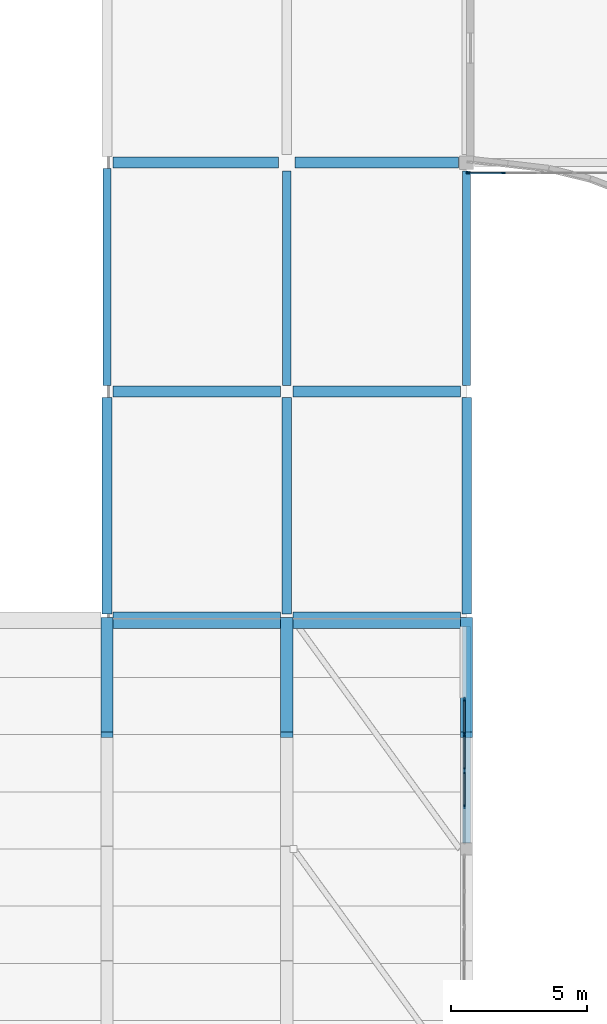
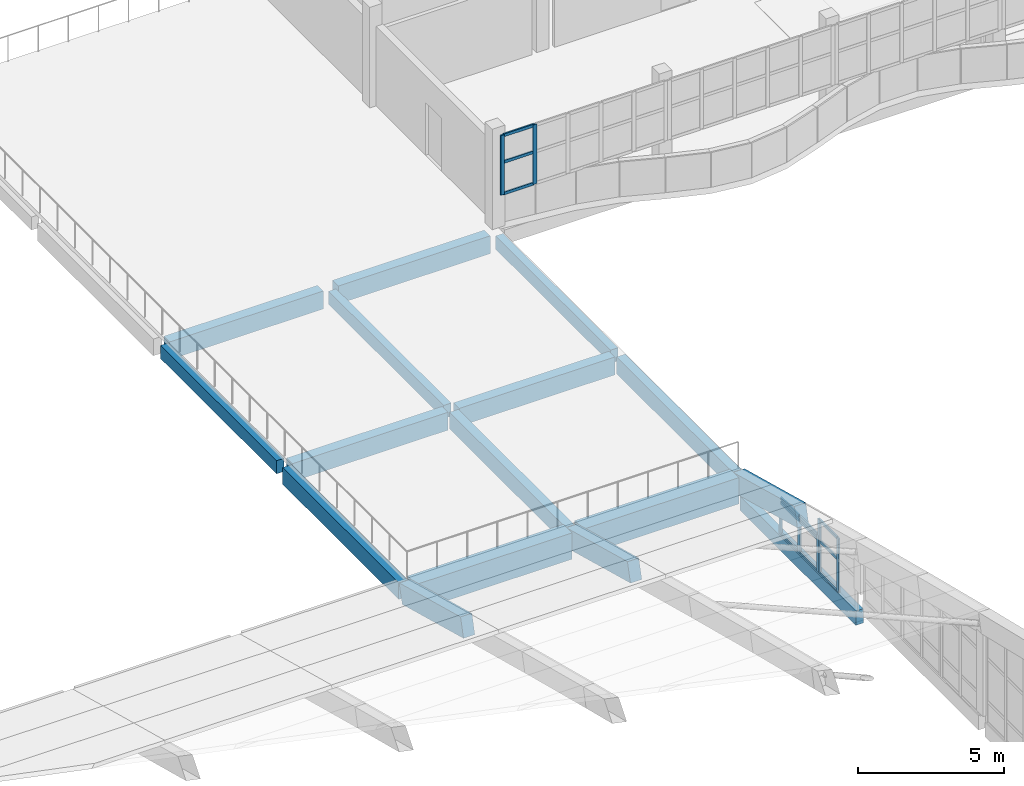
# One storey, part 17 of 78: 19 members, 16 beams, 3 elements without a shape of their own.
"""IFC4 building model written with IfcOpenShell, lengths in metres."""

from ifc_helpers import new_model, si_unit, direction, frame, origin, origin_2d, place, context, subcontext, project, spatial, rectangle, extrude, material, material_profile, profile_set, type_object, element, aggregate, save


model = new_model("IFC4")

# Units and contexts
model_context = context("Model", 3, precision=1e-05, world=origin(), true_north=direction((0.0, 1.0)))
body_context = subcontext(model_context, "Body", "Model", "MODEL_VIEW")
ifc_project = project(units=[si_unit("LENGTHUNIT", "METRE"), si_unit("AREAUNIT", "SQUARE_METRE"), si_unit("VOLUMEUNIT", "CUBIC_METRE"), si_unit("PLANEANGLEUNIT", "RADIAN"), si_unit("MASSUNIT", "GRAM", prefix="KILO")], contexts=[model_context])

# Site, building, storey
site_placement = place(None, origin())
site = spatial("IfcSite", under=ifc_project, at=site_placement, CompositionType="ELEMENT")
building_placement = place(site_placement, origin())
building = spatial("IfcBuilding", under=site, at=building_placement, Name="Qaldarim Faculty of Natural and Applied Sciences", CompositionType="ELEMENT")
storey_placement = place(building_placement, frame((0.0, 0.0, 18.60009765625)))
storey = spatial("IfcBuildingStorey", under=building, at=storey_placement, Name="L04", CompositionType="ELEMENT", Elevation=18.60009765625)

# Beams
ifc_material_1 = material(Name="Concrete C40/50", Category="concrete")
ifc_material_profile_1 = material_profile(ifc_material_1, rectangle(XDim=0.300048828125, YDim=0.550048828125, at=origin_2d()), Name="RC-B300x550")
ifc_profile_set_1 = profile_set([ifc_material_profile_1], Name="Concrete C40/50")
beam_type_1 = type_object("IfcBeamType", Name="FloorBeam-RC300x550", PredefinedType="BEAM", material=ifc_profile_set_1)
beam_1_placement = place(storey_placement, frame((33.0, 92.625, -0.53515625), z_axis=(0.0, 1.0, 0.0), x_axis=(-1.0, 0.0, 0.0)))
element("IfcBeam", 1, at=beam_1_placement, inside=storey, type_object=beam_type_1, Name="Beam RC-B300x550 L03 X06/Y12-Y13", PredefinedType="BEAM", context=body_context, shape_type="SweptSolid", body=[
    extrude(rectangle(XDim=0.300048828125, YDim=0.550048828125, at=origin_2d()), origin(), (0.0, 0.0, 1.0), 7.949951171875),
])
for number, where, z_axis, x_axis, name in (
    (2, (39.60009765625, 92.625, -0.53515625), (0.0, 1.0, 0.0), (-1.0, 0.0, 0.0), "Beam RC-B300x550 L03 X07/Y12-Y13"),
    (3, (46.199951171875, 92.625, -0.53515625), (0.0, 1.0, 0.0), (-1.0, 0.0, 0.0), "Beam RC-B300x550 L03 X08/Y12-Y13"),
):
    element("IfcBeam", number, at=place(storey_placement, frame(where, z_axis=z_axis, x_axis=x_axis)), inside=storey, type_object=beam_type_1, Name=name, PredefinedType="BEAM", context=body_context, shape_type="SweptSolid", body=[
        extrude(rectangle(XDim=0.300048828125, YDim=0.550048828125, at=origin_2d()), origin(), (0.0, 0.0, 1.0), 7.875),
    ])
ifc_material_2 = material(Name="Concrete C50/60", Category="concrete")
ifc_material_profile_2 = material_profile(ifc_material_2, rectangle(XDim=0.39990234375, YDim=0.75, at=origin_2d()), Name="RC-B400x750")
ifc_profile_set_2 = profile_set([ifc_material_profile_2], Name="Concrete C50/60")
beam_type_2 = type_object("IfcBeamType", Name="LabGirder-RC400x750", PredefinedType="BEAM", material=ifc_profile_set_2)
beam_2_placement = place(storey_placement, frame((33.22509765625, 92.39990234375, -0.635009765625), z_axis=(1.0, 0.0, 0.0), x_axis=(0.0, 1.0, 0.0)))
element("IfcBeam", 4, at=beam_2_placement, inside=storey, type_object=beam_type_2, Name="Beam RC-B400x750 L03 X06-X07/Y12", PredefinedType="BEAM", context=body_context, shape_type="SweptSolid", body=[
    extrude(rectangle(XDim=0.39990234375, YDim=0.75, at=origin_2d()), origin(), (0.0, 0.0, 1.0), 6.14990234375),
])
beam_3_placement = place(storey_placement, frame((39.824951171875, 92.39990234375, -0.635009765625), z_axis=(1.0, 0.0, 0.0), x_axis=(0.0, 1.0, 0.0)))
element("IfcBeam", 5, at=beam_3_placement, inside=storey, type_object=beam_type_2, Name="Beam RC-B400x750 L03 X07-X08/Y12", PredefinedType="BEAM", context=body_context, shape_type="SweptSolid", body=[
    extrude(rectangle(XDim=0.39990234375, YDim=0.75, at=origin_2d()), origin(), (0.0, 0.0, 1.0), 6.150146484375),
])
beam_4_placement = place(storey_placement, frame((33.22509765625, 100.800048828125, -0.635009765625), z_axis=(1.0, 0.0, 0.0), x_axis=(0.0, 1.0, 0.0)))
element("IfcBeam", 6, at=beam_4_placement, inside=storey, type_object=beam_type_2, Name="Beam RC-B400x750 L03 X06-X07/Y13", PredefinedType="BEAM", context=body_context, shape_type="SweptSolid", body=[
    extrude(rectangle(XDim=0.39990234375, YDim=0.75, at=origin_2d()), origin(), (0.0, 0.0, 1.0), 6.074951171875),
])
beam_5_placement = place(storey_placement, frame((39.89990234375, 100.800048828125, -0.635009765625), z_axis=(1.0, 0.0, 0.0), x_axis=(0.0, 1.0, 0.0)))
element("IfcBeam", 7, at=beam_5_placement, inside=storey, type_object=beam_type_2, Name="Beam RC-B400x750 L03 X07-X08/Y13", PredefinedType="BEAM", context=body_context, shape_type="SweptSolid", body=[
    extrude(rectangle(XDim=0.39990234375, YDim=0.75, at=origin_2d()), origin(), (0.0, 0.0, 1.0), 6.0),
])

# Curtain wall, members
ifc_material_3 = material(Name="Anodised aluminium AW-6063", Category="aluminium")
curtain_wall_type_1 = type_object("IfcCurtainWallType", Name="CurtainWallSystem-M1400", PredefinedType="USERDEFINED", material=ifc_material_3)
curtain_wall_1_placement = place(storey_placement, origin())
curtain_wall_1 = element("IfcCurtainWall", 8, at=curtain_wall_1_placement, inside=storey, type_object=curtain_wall_type_1, Name="Curtain wall CW-V4RIB-L04-X08", ObjectType="STICK CURTAIN WALL", PredefinedType="USERDEFINED")
ifc_material_profile_3 = material_profile(ifc_material_3, rectangle(XDim=0.06005859375, YDim=0.14990234375, at=origin_2d()), Name="ALU-M60x150")
ifc_profile_set_3 = profile_set([ifc_material_profile_3], Name="Anodised aluminium AW-6063")
member_type_1 = type_object("IfcMemberType", Name="Mullion-ALU60x150", PredefinedType="MULLION", material=ifc_profile_set_3)
member_1_placement = place(storey_placement, frame((46.27001953125, 100.419921875, 1.449951171875), z_axis=(0.0, 0.0, 1.0), x_axis=(0.0, 1.0, 0.0)))
member_1 = element("IfcMember", 9, at=member_1_placement, type_object=member_type_1, Name="Mullion 1 of CW-V4RIB-L04-X08", PredefinedType="MULLION", context=body_context, shape_type="SweptSolid", body=[
    extrude(rectangle(XDim=0.06005859375, YDim=0.14990234375, at=origin_2d()), origin(), (0.0, 0.0, 1.0), 2.489990234375),
])
member_2_placement = place(storey_placement, frame((47.5439453125, 100.419921875, 1.449951171875), z_axis=(0.0, 0.0, 1.0), x_axis=(0.0, 1.0, 0.0)))
member_2 = element("IfcMember", 10, at=member_2_placement, type_object=member_type_1, Name="Mullion 2 of CW-V4RIB-L04-X08", PredefinedType="MULLION", context=body_context, shape_type="SweptSolid", body=[
    extrude(rectangle(XDim=0.06005859375, YDim=0.14990234375, at=origin_2d()), origin(), (0.0, 0.0, 1.0), 2.489990234375),
])

curtain_wall_type_2 = type_object("IfcCurtainWallType", Name="CurtainWallSystem-M1500", PredefinedType="USERDEFINED", material=ifc_material_3)
curtain_wall_2_placement = place(storey_placement, origin())
curtain_wall_2 = element("IfcCurtainWall", 11, at=curtain_wall_2_placement, inside=storey, type_object=curtain_wall_type_2, Name="Curtain wall CW-GABLE-L04-E-Y10-1", ObjectType="STICK CURTAIN WALL", PredefinedType="USERDEFINED")
member_3_placement = place(storey_placement, frame((46.1201171875, 77.1474609375, -0.97998046875), z_axis=(0.0, 0.0, 1.0), x_axis=(-1.0, 0.0, 0.0)))
member_3 = element("IfcMember", 12, at=member_3_placement, type_object=member_type_1, Name="Mullion 2 of CW-GABLE-L04-E-Y10-1", PredefinedType="MULLION", context=body_context, shape_type="SweptSolid", body=[
    extrude(rectangle(XDim=0.06005859375, YDim=0.14990234375, at=origin_2d()), origin(), (0.0, 0.0, 1.0), 2.244873046875),
])
member_4_placement = place(storey_placement, frame((46.1201171875, 78.43505859375, -0.97998046875), z_axis=(0.0, 0.0, 1.0), x_axis=(-1.0, 0.0, 0.0)))
member_4 = element("IfcMember", 13, at=member_4_placement, type_object=member_type_1, Name="Mullion 3 of CW-GABLE-L04-E-Y10-1", PredefinedType="MULLION", context=body_context, shape_type="SweptSolid", body=[
    extrude(rectangle(XDim=0.06005859375, YDim=0.14990234375, at=origin_2d()), origin(), (0.0, 0.0, 1.0), 2.244873046875),
])

curtain_wall_3_placement = place(storey_placement, origin())
curtain_wall_3 = element("IfcCurtainWall", 14, at=curtain_wall_3_placement, inside=storey, type_object=curtain_wall_type_2, Name="Curtain wall CW-GABLE-L04-E-Y10-2", ObjectType="STICK CURTAIN WALL", PredefinedType="USERDEFINED")
member_5_placement = place(storey_placement, frame((46.1201171875, 78.514892578125, -0.97998046875), z_axis=(0.0, 0.0, 1.0), x_axis=(-1.0, 0.0, 0.0)))
member_5 = element("IfcMember", 15, at=member_5_placement, type_object=member_type_1, Name="Mullion 1 of CW-GABLE-L04-E-Y10-2", PredefinedType="MULLION", context=body_context, shape_type="SweptSolid", body=[
    extrude(rectangle(XDim=0.06005859375, YDim=0.14990234375, at=origin_2d()), origin(), (0.0, 0.0, 1.0), 1.554931640625),
])
member_6_placement = place(storey_placement, frame((46.1201171875, 79.802490234375, -0.97998046875), z_axis=(0.0, 0.0, 1.0), x_axis=(-1.0, 0.0, 0.0)))
member_6 = element("IfcMember", 16, at=member_6_placement, type_object=member_type_1, Name="Mullion 2 of CW-GABLE-L04-E-Y10-2", PredefinedType="MULLION", context=body_context, shape_type="SweptSolid", body=[
    extrude(rectangle(XDim=0.06005859375, YDim=0.14990234375, at=origin_2d()), origin(), (0.0, 0.0, 1.0), 1.554931640625),
])
member_7_placement = place(storey_placement, frame((46.1201171875, 81.090087890625, -0.97998046875), z_axis=(0.0, 0.0, 1.0), x_axis=(-1.0, 0.0, 0.0)))
member_7 = element("IfcMember", 17, at=member_7_placement, type_object=member_type_1, Name="Mullion 3 of CW-GABLE-L04-E-Y10-2", PredefinedType="MULLION", context=body_context, shape_type="SweptSolid", body=[
    extrude(rectangle(XDim=0.06005859375, YDim=0.14990234375, at=origin_2d()), origin(), (0.0, 0.0, 1.0), 1.554931640625),
])

# Beams
ifc_material_profile_4 = material_profile(ifc_material_1, rectangle(XDim=0.35009765625, YDim=0.699951171875, at=origin_2d()), Name="RC-B350x700")
ifc_profile_set_4 = profile_set([ifc_material_profile_4], Name="Concrete C40/50")
beam_type_3 = type_object("IfcBeamType", Name="PrimaryGirder-RC350x700", PredefinedType="BEAM", material=ifc_profile_set_4)
for number, where, z_axis, x_axis, name in (
    (18, (33.0, 84.22509765625, -0.610107421875), (0.0, 1.0, 0.0), (-1.0, 0.0, 0.0), "Beam RC-B350x700 L03 X06/Y11-Y12"),
    (19, (39.60009765625, 84.22509765625, -0.610107421875), (0.0, 1.0, 0.0), (-1.0, 0.0, 0.0), "Beam RC-B350x700 L03 X07/Y11-Y12"),
    (20, (46.199951171875, 84.22509765625, -0.610107421875), (0.0, 1.0, 0.0), (-1.0, 0.0, 0.0), "Beam RC-B350x700 L03 X08/Y11-Y12"),
):
    element("IfcBeam", number, at=place(storey_placement, frame(where, z_axis=z_axis, x_axis=x_axis)), inside=storey, type_object=beam_type_3, Name=name, PredefinedType="BEAM", context=body_context, shape_type="SweptSolid", body=[
        extrude(rectangle(XDim=0.35009765625, YDim=0.699951171875, at=origin_2d()), origin(), (0.0, 0.0, 1.0), 7.949951171875),
    ])
ifc_material_profile_5 = material_profile(ifc_material_2, rectangle(XDim=0.449951171875, YDim=0.800048828125, at=origin_2d()), Name="RC-RIB450x800")
ifc_profile_set_5 = profile_set([ifc_material_profile_5], Name="Concrete C50/60")
beam_type_4 = type_object("IfcBeamType", Name="ShellArchRib-RC450x800", PredefinedType="BEAM", material=ifc_profile_set_5)
for number, where, z_axis, x_axis, name in (
    (21, (33.0, 84.0, -0.56005859375), (0.0, -0.965947299715, 0.258738891884), (1.0, 0.0, 0.0), "Shell arch rib 6 N segment 1"),
    (22, (39.60009765625, 84.0, -0.56005859375), (0.0, -0.965947299715, 0.258738891884), (1.0, 0.0, 0.0), "Shell arch rib 7 N segment 1"),
    (23, (46.199951171875, 84.0, -0.56005859375), (0.0, -0.965947299715, 0.258738891884), (1.0, 0.0, 0.0), "Shell arch rib 8 N segment 1"),
):
    element("IfcBeam", number, at=place(storey_placement, frame(where, z_axis=z_axis, x_axis=x_axis)), inside=storey, type_object=beam_type_4, Name=name, PredefinedType="BEAM", context=body_context, shape_type="SweptSolid", body=[
        extrude(rectangle(XDim=0.449951171875, YDim=0.800048828125, at=origin_2d()), origin(), (0.0, 0.0, 1.0), 4.347900390625),
    ])
ifc_material_profile_6 = material_profile(ifc_material_2, rectangle(XDim=0.60009765625, YDim=1.10009765625, at=origin_2d()), Name="RC-EB600x1100")
ifc_profile_set_6 = profile_set([ifc_material_profile_6], Name="Concrete C50/60")
beam_type_5 = type_object("IfcBeamType", Name="ShellEdgeBeam-RC600x1100", PredefinedType="SPANDREL", material=ifc_profile_set_6)
beam_6_placement = place(storey_placement, frame((33.22509765625, 84.0, -0.7001953125), z_axis=(1.0, 0.0, 0.0), x_axis=(0.0, 1.0, 0.0)))
element("IfcBeam", 24, at=beam_6_placement, inside=storey, type_object=beam_type_5, Name="Shell springing edge beam N bay 6", PredefinedType="SPANDREL", context=body_context, shape_type="SweptSolid", body=[
    extrude(rectangle(XDim=0.60009765625, YDim=1.10009765625, at=origin_2d()), origin(), (0.0, 0.0, 1.0), 6.14990234375),
])
beam_7_placement = place(storey_placement, frame((39.824951171875, 84.0, -0.7001953125), z_axis=(1.0, 0.0, 0.0), x_axis=(0.0, 1.0, 0.0)))
element("IfcBeam", 25, at=beam_7_placement, inside=storey, type_object=beam_type_5, Name="Shell springing edge beam N bay 7", PredefinedType="SPANDREL", context=body_context, shape_type="SweptSolid", body=[
    extrude(rectangle(XDim=0.60009765625, YDim=1.10009765625, at=origin_2d()), origin(), (0.0, 0.0, 1.0), 6.150146484375),
])
ifc_material_4 = material(Name="Precast concrete C40/50", Category="concrete")
ifc_material_profile_7 = material_profile(ifc_material_4, rectangle(XDim=0.300048828125, YDim=0.60009765625, at=origin_2d()), Name="RC-SP300x600")
ifc_profile_set_7 = profile_set([ifc_material_profile_7], Name="Precast concrete C40/50")
beam_type_6 = type_object("IfcBeamType", Name="SpandrelBeam-RC300x600", PredefinedType="SPANDREL", material=ifc_profile_set_7)
beam_8_placement = place(storey_placement, frame((46.199951171875, 75.824951171875, -1.280029296875), z_axis=(0.0, 1.0, 0.0), x_axis=(-1.0, 0.0, 0.0)))
element("IfcBeam", 26, at=beam_8_placement, inside=storey, type_object=beam_type_6, Name="Shell gable tie beam L03 X08/Y10-Y11", PredefinedType="SPANDREL", context=body_context, shape_type="SweptSolid", body=[
    extrude(rectangle(XDim=0.300048828125, YDim=0.60009765625, at=origin_2d()), origin(), (0.0, 0.0, 1.0), 7.949951171875),
])

# Member
ifc_material_profile_8 = material_profile(ifc_material_3, rectangle(XDim=0.06005859375, YDim=0.1201171875, at=origin_2d()), Name="ALU-T60x120")
ifc_profile_set_8 = profile_set([ifc_material_profile_8], Name="Anodised aluminium AW-6063")
member_type_2 = type_object("IfcMemberType", Name="Transom-ALU60x120", PredefinedType="USERDEFINED", material=ifc_profile_set_8)
member_8_placement = place(storey_placement, frame((46.300048828125, 100.419921875, 1.47998046875), z_axis=(1.0, 0.0, 0.0), x_axis=(0.0, 1.0, 0.0)))
member_8 = element("IfcMember", 27, at=member_8_placement, type_object=member_type_2, Name="Transom 1-1 of CW-V4RIB-L04-X08", ObjectType="TRANSOM", PredefinedType="USERDEFINED", context=body_context, shape_type="SweptSolid", body=[
    extrude(rectangle(XDim=0.06005859375, YDim=0.1201171875, at=origin_2d()), origin(), (0.0, 0.0, 1.0), 1.2138671875),
])

member_9_placement = place(storey_placement, frame((46.300048828125, 100.419921875, 2.7998046875), z_axis=(1.0, 0.0, 0.0), x_axis=(0.0, 1.0, 0.0)))
member_9 = element("IfcMember", 28, at=member_9_placement, type_object=member_type_2, Name="Transom 1-2 of CW-V4RIB-L04-X08", ObjectType="TRANSOM", PredefinedType="USERDEFINED", context=body_context, shape_type="SweptSolid", body=[
    extrude(rectangle(XDim=0.06005859375, YDim=0.1201171875, at=origin_2d()), origin(), (0.0, 0.0, 1.0), 1.2138671875),
])

member_10_placement = place(storey_placement, frame((46.300048828125, 100.419921875, 3.909912109375), z_axis=(1.0, 0.0, 0.0), x_axis=(0.0, 1.0, 0.0)))
member_10 = element("IfcMember", 29, at=member_10_placement, type_object=member_type_2, Name="Transom 1-3 of CW-V4RIB-L04-X08", ObjectType="TRANSOM", PredefinedType="USERDEFINED", context=body_context, shape_type="SweptSolid", body=[
    extrude(rectangle(XDim=0.06005859375, YDim=0.1201171875, at=origin_2d()), origin(), (0.0, 0.0, 1.0), 1.2138671875),
])

aggregate(curtain_wall_1, [member_1, member_2, member_8, member_9, member_10])

member_11_placement = place(storey_placement, frame((46.1201171875, 77.177490234375, -0.9501953125), z_axis=(0.0, 1.0, 0.0), x_axis=(-1.0, 0.0, 0.0)))
member_11 = element("IfcMember", 30, at=member_11_placement, type_object=member_type_2, Name="Transom 2-1 of CW-GABLE-L04-E-Y10-1", ObjectType="TRANSOM", PredefinedType="USERDEFINED", context=body_context, shape_type="SweptSolid", body=[
    extrude(rectangle(XDim=0.06005859375, YDim=0.1201171875, at=origin_2d()), origin(), (0.0, 0.0, 1.0), 1.2275390625),
])

member_12_placement = place(storey_placement, frame((46.1201171875, 77.177490234375, 0.369873046875), z_axis=(0.0, 1.0, 0.0), x_axis=(-1.0, 0.0, 0.0)))
member_12 = element("IfcMember", 31, at=member_12_placement, type_object=member_type_2, Name="Transom 2-2 of CW-GABLE-L04-E-Y10-1", ObjectType="TRANSOM", PredefinedType="USERDEFINED", context=body_context, shape_type="SweptSolid", body=[
    extrude(rectangle(XDim=0.06005859375, YDim=0.1201171875, at=origin_2d()), origin(), (0.0, 0.0, 1.0), 1.2275390625),
])

member_13_placement = place(storey_placement, frame((46.1201171875, 77.177490234375, 1.23486328125), z_axis=(0.0, 1.0, 0.0), x_axis=(-1.0, 0.0, 0.0)))
member_13 = element("IfcMember", 32, at=member_13_placement, type_object=member_type_2, Name="Transom 2-3 of CW-GABLE-L04-E-Y10-1", ObjectType="TRANSOM", PredefinedType="USERDEFINED", context=body_context, shape_type="SweptSolid", body=[
    extrude(rectangle(XDim=0.06005859375, YDim=0.1201171875, at=origin_2d()), origin(), (0.0, 0.0, 1.0), 1.2275390625),
])

aggregate(curtain_wall_2, [member_3, member_4, member_11, member_12, member_13])

member_14_placement = place(storey_placement, frame((46.1201171875, 78.544921875, -0.9501953125), z_axis=(0.0, 1.0, 0.0), x_axis=(-1.0, 0.0, 0.0)))
member_14 = element("IfcMember", 33, at=member_14_placement, type_object=member_type_2, Name="Transom 1-1 of CW-GABLE-L04-E-Y10-2", ObjectType="TRANSOM", PredefinedType="USERDEFINED", context=body_context, shape_type="SweptSolid", body=[
    extrude(rectangle(XDim=0.06005859375, YDim=0.1201171875, at=origin_2d()), origin(), (0.0, 0.0, 1.0), 1.2275390625),
])

member_15_placement = place(storey_placement, frame((46.1201171875, 78.544921875, 0.369873046875), z_axis=(0.0, 1.0, 0.0), x_axis=(-1.0, 0.0, 0.0)))
member_15 = element("IfcMember", 34, at=member_15_placement, type_object=member_type_2, Name="Transom 1-2 of CW-GABLE-L04-E-Y10-2", ObjectType="TRANSOM", PredefinedType="USERDEFINED", context=body_context, shape_type="SweptSolid", body=[
    extrude(rectangle(XDim=0.06005859375, YDim=0.1201171875, at=origin_2d()), origin(), (0.0, 0.0, 1.0), 1.2275390625),
])

member_16_placement = place(storey_placement, frame((46.1201171875, 78.544921875, 0.544921875), z_axis=(0.0, 1.0, 0.0), x_axis=(-1.0, 0.0, 0.0)))
member_16 = element("IfcMember", 35, at=member_16_placement, type_object=member_type_2, Name="Transom 1-3 of CW-GABLE-L04-E-Y10-2", ObjectType="TRANSOM", PredefinedType="USERDEFINED", context=body_context, shape_type="SweptSolid", body=[
    extrude(rectangle(XDim=0.06005859375, YDim=0.1201171875, at=origin_2d()), origin(), (0.0, 0.0, 1.0), 1.2275390625),
])

member_17_placement = place(storey_placement, frame((46.1201171875, 79.83251953125, -0.9501953125), z_axis=(0.0, 1.0, 0.0), x_axis=(-1.0, 0.0, 0.0)))
member_17 = element("IfcMember", 36, at=member_17_placement, type_object=member_type_2, Name="Transom 2-1 of CW-GABLE-L04-E-Y10-2", ObjectType="TRANSOM", PredefinedType="USERDEFINED", context=body_context, shape_type="SweptSolid", body=[
    extrude(rectangle(XDim=0.06005859375, YDim=0.1201171875, at=origin_2d()), origin(), (0.0, 0.0, 1.0), 1.2275390625),
])

member_18_placement = place(storey_placement, frame((46.1201171875, 79.83251953125, 0.369873046875), z_axis=(0.0, 1.0, 0.0), x_axis=(-1.0, 0.0, 0.0)))
member_18 = element("IfcMember", 37, at=member_18_placement, type_object=member_type_2, Name="Transom 2-2 of CW-GABLE-L04-E-Y10-2", ObjectType="TRANSOM", PredefinedType="USERDEFINED", context=body_context, shape_type="SweptSolid", body=[
    extrude(rectangle(XDim=0.06005859375, YDim=0.1201171875, at=origin_2d()), origin(), (0.0, 0.0, 1.0), 1.2275390625),
])

member_19_placement = place(storey_placement, frame((46.1201171875, 79.83251953125, 0.544921875), z_axis=(0.0, 1.0, 0.0), x_axis=(-1.0, 0.0, 0.0)))
member_19 = element("IfcMember", 38, at=member_19_placement, type_object=member_type_2, Name="Transom 2-3 of CW-GABLE-L04-E-Y10-2", ObjectType="TRANSOM", PredefinedType="USERDEFINED", context=body_context, shape_type="SweptSolid", body=[
    extrude(rectangle(XDim=0.06005859375, YDim=0.1201171875, at=origin_2d()), origin(), (0.0, 0.0, 1.0), 1.2275390625),
])

aggregate(curtain_wall_3, [member_5, member_6, member_7, member_14, member_15, member_16, member_17, member_18, member_19])

save(model, "model.ifc")
